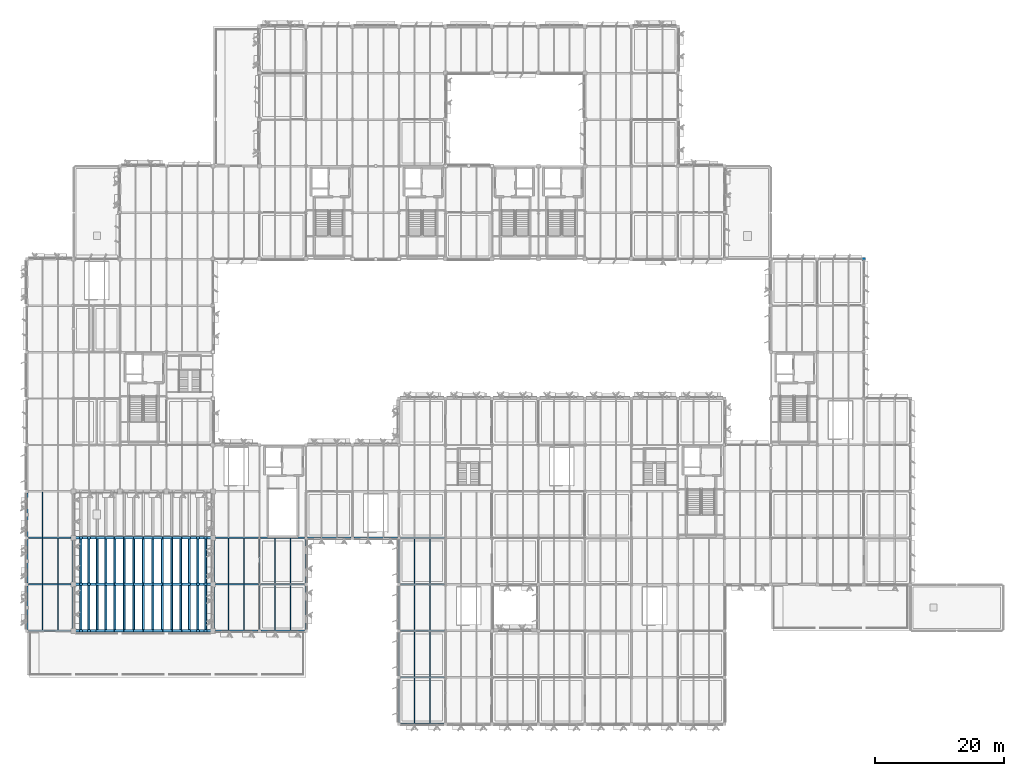
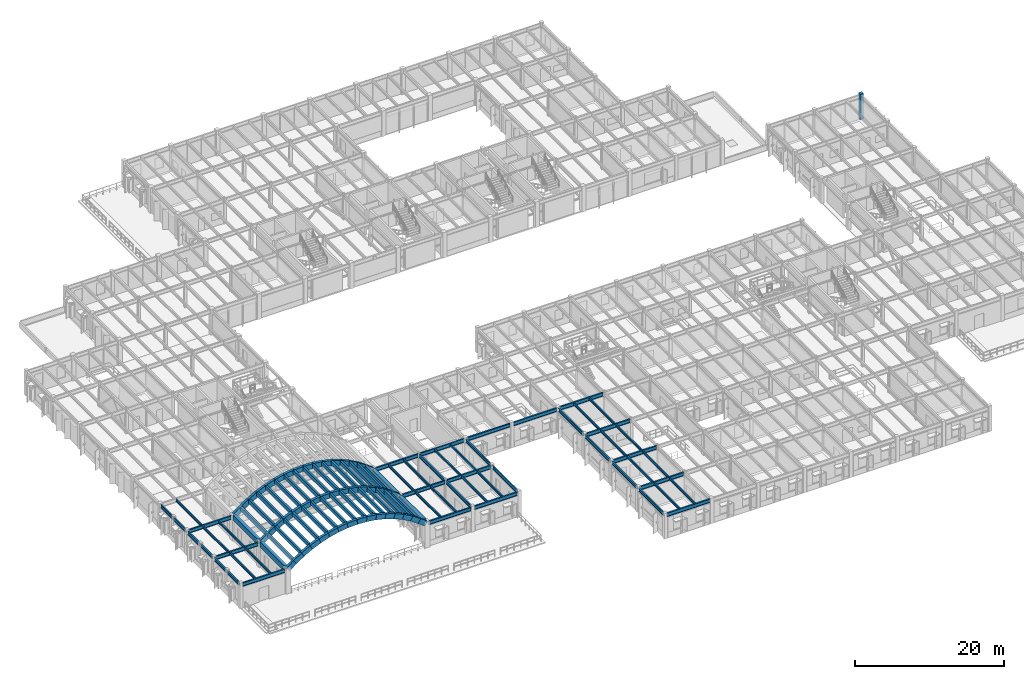
# One storey, part 15 of 85: 130 beams, 1 column.
"""IFC4 building model written with IfcOpenShell, lengths in metres."""

from ifc_helpers import new_model, si_unit, direction, frame, origin, origin_2d, place, context, subcontext, project, spatial, rectangle, i_section, extrude, material, material_profile, profile_set, type_object, element, save


model = new_model("IFC4")

# Units and contexts
model_context = context("Model", 3, precision=1e-05, world=origin(), true_north=direction((0.0, 1.0)))
body_context = subcontext(model_context, "Body", "Model", "MODEL_VIEW")
ifc_project = project(units=[si_unit("LENGTHUNIT", "METRE"), si_unit("AREAUNIT", "SQUARE_METRE"), si_unit("VOLUMEUNIT", "CUBIC_METRE"), si_unit("PLANEANGLEUNIT", "RADIAN"), si_unit("MASSUNIT", "GRAM", prefix="KILO")], contexts=[model_context])

# Site, building, storey
site_placement = place(None, origin())
site = spatial("IfcSite", under=ifc_project, at=site_placement, CompositionType="ELEMENT")
building_placement = place(site_placement, origin())
building = spatial("IfcBuilding", under=site, at=building_placement, Name="Sillqori Civic Hall", CompositionType="ELEMENT")
storey_placement = place(building_placement, frame((0.0, 0.0, 9.89990234375)))
storey = spatial("IfcBuildingStorey", under=building, at=storey_placement, Name="L03", CompositionType="ELEMENT", Elevation=9.89990234375)

# Column
ifc_material_1 = material(Name="Concrete C35/45 (H35)", Category="concrete")
ifc_material_profile_1 = material_profile(ifc_material_1, rectangle(XDim=0.5, YDim=0.5, at=origin_2d()), Name="RC 500x500")
ifc_profile_set_1 = profile_set([ifc_material_profile_1], Name="Concrete C35/45 (H35)")
column_type = type_object("IfcColumnType", Name="COL-RC500", PredefinedType="COLUMN", material=ifc_profile_set_1)
column_placement = place(storey_placement, frame((136.800048828125, 79.199951171875, 0.0), z_axis=(0.0, 0.0, 1.0), x_axis=(1.0, 0.0, 0.0)))
element("IfcColumn", 1, at=column_placement, inside=storey, type_object=column_type, Name="L03 column 19-11", PredefinedType="COLUMN", context=body_context, shape_type="SweptSolid", body=[
    extrude(rectangle(XDim=0.5, YDim=0.5, at=origin_2d()), origin(), (0.0, 0.0, 1.0), 4.2001953125),
])

# Beams
ifc_material_2 = material(Name="Steel ASTM A992", Category="steel")
ifc_material_profile_2 = material_profile(ifc_material_2, i_section(OverallWidth=0.2099609375, OverallDepth=0.532958984375, WebThickness=0.01025390625, FlangeThickness=0.015625, FilletRadius=0.013916015625, at=origin_2d()), Name="W21X62")
ifc_profile_set_2 = profile_set([ifc_material_profile_2], Name="Steel ASTM A992")
beam_type_1 = type_object("IfcBeamType", Name="BM-W21X62", PredefinedType="BEAM", material=ifc_profile_set_2)
beam_1_placement = place(storey_placement, frame((7.199951171875, 21.843994140625, 3.733642578125), z_axis=(0.0, 1.0, 0.0), x_axis=(-1.0, 0.0, 0.0)))
element("IfcBeam", 2, at=beam_1_placement, inside=storey, type_object=beam_type_1, Name="L03 girder Y 1-3", PredefinedType="BEAM", context=body_context, shape_type="SweptSolid", body=[
    extrude(i_section(OverallWidth=0.2099609375, OverallDepth=0.532958984375, WebThickness=0.01025390625, FlangeThickness=0.015625, FilletRadius=0.013916015625, at=origin_2d()), origin(), (0.0, 0.0, 1.0), 6.7119140625),
])
for number, where, z_axis, x_axis, name in (
    (3, (7.199951171875, 29.0439453125, 3.733642578125), (0.0, 1.0, 0.0), (-1.0, 0.0, 0.0), "L03 girder Y 1-4"),
    (4, (7.199951171875, 36.243896484375, 3.733642578125), (0.0, 1.0, 0.0), (-1.0, 0.0, 0.0), "L03 girder Y 1-5"),
):
    element("IfcBeam", number, at=place(storey_placement, frame(where, z_axis=z_axis, x_axis=x_axis)), inside=storey, type_object=beam_type_1, Name=name, PredefinedType="BEAM", context=body_context, shape_type="SweptSolid", body=[
        extrude(i_section(OverallWidth=0.2099609375, OverallDepth=0.532958984375, WebThickness=0.01025390625, FlangeThickness=0.015625, FilletRadius=0.013916015625, at=origin_2d()), origin(), (0.0, 0.0, 1.0), 6.712158203125),
    ])
beam_2_placement = place(storey_placement, frame((43.199951171875, 21.843994140625, 3.733642578125), z_axis=(0.0, 1.0, 0.0), x_axis=(-1.0, 0.0, 0.0)))
element("IfcBeam", 5, at=beam_2_placement, inside=storey, type_object=beam_type_1, Name="L03 girder Y 6-3", PredefinedType="BEAM", context=body_context, shape_type="SweptSolid", body=[
    extrude(i_section(OverallWidth=0.2099609375, OverallDepth=0.532958984375, WebThickness=0.01025390625, FlangeThickness=0.015625, FilletRadius=0.013916015625, at=origin_2d()), origin(), (0.0, 0.0, 1.0), 6.780517578125),
])
beam_3_placement = place(storey_placement, frame((43.199951171875, 28.9755859375, 3.733642578125), z_axis=(0.0, 1.0, 0.0), x_axis=(-1.0, 0.0, 0.0)))
element("IfcBeam", 6, at=beam_3_placement, inside=storey, type_object=beam_type_1, Name="L03 girder Y 6-4", PredefinedType="BEAM", context=body_context, shape_type="SweptSolid", body=[
    extrude(i_section(OverallWidth=0.2099609375, OverallDepth=0.532958984375, WebThickness=0.01025390625, FlangeThickness=0.015625, FilletRadius=0.013916015625, at=origin_2d()), origin(), (0.0, 0.0, 1.0), 6.848876953125),
])
beam_4_placement = place(storey_placement, frame((50.39990234375, 21.843994140625, 3.733642578125), z_axis=(0.0, 1.0, 0.0), x_axis=(-1.0, 0.0, 0.0)))
element("IfcBeam", 7, at=beam_4_placement, inside=storey, type_object=beam_type_1, Name="L03 girder Y 7-3", PredefinedType="BEAM", context=body_context, shape_type="SweptSolid", body=[
    extrude(i_section(OverallWidth=0.2099609375, OverallDepth=0.532958984375, WebThickness=0.01025390625, FlangeThickness=0.015625, FilletRadius=0.013916015625, at=origin_2d()), origin(), (0.0, 0.0, 1.0), 6.7119140625),
])
beam_5_placement = place(storey_placement, frame((50.39990234375, 29.0439453125, 3.733642578125), z_axis=(0.0, 1.0, 0.0), x_axis=(-1.0, 0.0, 0.0)))
element("IfcBeam", 8, at=beam_5_placement, inside=storey, type_object=beam_type_1, Name="L03 girder Y 7-4", PredefinedType="BEAM", context=body_context, shape_type="SweptSolid", body=[
    extrude(i_section(OverallWidth=0.2099609375, OverallDepth=0.532958984375, WebThickness=0.01025390625, FlangeThickness=0.015625, FilletRadius=0.013916015625, at=origin_2d()), origin(), (0.0, 0.0, 1.0), 6.712158203125),
])
for number, where, z_axis, x_axis, name in (
    (9, (64.800048828125, 7.444091796875, 3.753662109375), (0.0, 1.0, 0.0), (-1.0, 0.0, 0.0), "L03 girder Y 9-1"),
    (10, (64.800048828125, 14.64404296875, 3.753662109375), (0.0, 1.0, 0.0), (-1.0, 0.0, 0.0), "L03 girder Y 9-2"),
    (11, (64.800048828125, 21.843994140625, 3.753662109375), (0.0, 1.0, 0.0), (-1.0, 0.0, 0.0), "L03 girder Y 9-3"),
):
    element("IfcBeam", number, at=place(storey_placement, frame(where, z_axis=z_axis, x_axis=x_axis)), inside=storey, type_object=beam_type_1, Name=name, PredefinedType="BEAM", context=body_context, shape_type="SweptSolid", body=[
        extrude(i_section(OverallWidth=0.2099609375, OverallDepth=0.532958984375, WebThickness=0.01025390625, FlangeThickness=0.015625, FilletRadius=0.013916015625, at=origin_2d()), origin(), (0.0, 0.0, 1.0), 6.7119140625),
    ])
beam_6_placement = place(storey_placement, frame((64.800048828125, 29.0439453125, 3.753662109375), z_axis=(0.0, 1.0, 0.0), x_axis=(-1.0, 0.0, 0.0)))
element("IfcBeam", 12, at=beam_6_placement, inside=storey, type_object=beam_type_1, Name="L03 girder Y 9-4", PredefinedType="BEAM", context=body_context, shape_type="SweptSolid", body=[
    extrude(i_section(OverallWidth=0.2099609375, OverallDepth=0.532958984375, WebThickness=0.01025390625, FlangeThickness=0.015625, FilletRadius=0.013916015625, at=origin_2d()), origin(), (0.0, 0.0, 1.0), 6.712158203125),
])
ifc_material_profile_3 = material_profile(ifc_material_2, i_section(OverallWidth=0.22802734375, OverallDepth=0.60205078125, WebThickness=0.010498046875, FlangeThickness=0.014892578125, FilletRadius=0.014892578125, at=origin_2d()), Name="W24X68")
ifc_profile_set_3 = profile_set([ifc_material_profile_3], Name="Steel ASTM A992")
beam_type_2 = type_object("IfcBeamType", Name="BM-W24X68", PredefinedType="BEAM", material=ifc_profile_set_3)
for number, where, z_axis, x_axis, name in (
    (13, (7.444091796875, 21.60009765625, 3.69921875), (1.0, 0.0, 0.0), (0.0, 1.0, 0.0), "L03 girder X 1-3"),
    (14, (7.444091796875, 28.800048828125, 3.69921875), (1.0, 0.0, 0.0), (0.0, 1.0, 0.0), "L03 girder X 1-4"),
    (15, (7.444091796875, 36.0, 3.69921875), (1.0, 0.0, 0.0), (0.0, 1.0, 0.0), "L03 girder X 1-5"),
):
    element("IfcBeam", number, at=place(storey_placement, frame(where, z_axis=z_axis, x_axis=x_axis)), inside=storey, type_object=beam_type_2, Name=name, PredefinedType="BEAM", context=body_context, shape_type="SweptSolid", body=[
        extrude(i_section(OverallWidth=0.22802734375, OverallDepth=0.60205078125, WebThickness=0.010498046875, FlangeThickness=0.014892578125, FilletRadius=0.014892578125, at=origin_2d()), origin(), (0.0, 0.0, 1.0), 6.5869140625),
    ])
beam_7_placement = place(storey_placement, frame((36.368896484375, 21.60009765625, 3.69921875), z_axis=(1.0, 0.0, 0.0), x_axis=(0.0, 1.0, 0.0)))
element("IfcBeam", 16, at=beam_7_placement, inside=storey, type_object=beam_type_2, Name="L03 girder X 5-3", PredefinedType="BEAM", context=body_context, shape_type="SweptSolid", body=[
    extrude(i_section(OverallWidth=0.22802734375, OverallDepth=0.60205078125, WebThickness=0.010498046875, FlangeThickness=0.014892578125, FilletRadius=0.014892578125, at=origin_2d()), origin(), (0.0, 0.0, 1.0), 6.587158203125),
])
for number, where, z_axis, x_axis, name in (
    (17, (36.368896484375, 28.800048828125, 3.69921875), (1.0, 0.0, 0.0), (0.0, 1.0, 0.0), "L03 girder X 5-4"),
    (18, (36.368896484375, 36.0, 3.69921875), (1.0, 0.0, 0.0), (0.0, 1.0, 0.0), "L03 girder X 5-5"),
):
    element("IfcBeam", number, at=place(storey_placement, frame(where, z_axis=z_axis, x_axis=x_axis)), inside=storey, type_object=beam_type_2, Name=name, PredefinedType="BEAM", context=body_context, shape_type="SweptSolid", body=[
        extrude(i_section(OverallWidth=0.22802734375, OverallDepth=0.60205078125, WebThickness=0.010498046875, FlangeThickness=0.014892578125, FilletRadius=0.014892578125, at=origin_2d()), origin(), (0.0, 0.0, 1.0), 6.70849609375),
    ])
beam_8_placement = place(storey_placement, frame((43.444091796875, 21.60009765625, 3.69921875), z_axis=(1.0, 0.0, 0.0), x_axis=(0.0, 1.0, 0.0)))
element("IfcBeam", 19, at=beam_8_placement, inside=storey, type_object=beam_type_2, Name="L03 girder X 6-3", PredefinedType="BEAM", context=body_context, shape_type="SweptSolid", body=[
    extrude(i_section(OverallWidth=0.22802734375, OverallDepth=0.60205078125, WebThickness=0.010498046875, FlangeThickness=0.014892578125, FilletRadius=0.014892578125, at=origin_2d()), origin(), (0.0, 0.0, 1.0), 6.7119140625),
])
for number, where, z_axis, x_axis, name in (
    (20, (43.322509765625, 28.800048828125, 3.69921875), (1.0, 0.0, 0.0), (0.0, 1.0, 0.0), "L03 girder X 6-4"),
    (21, (43.322509765625, 36.0, 3.69921875), (1.0, 0.0, 0.0), (0.0, 1.0, 0.0), "L03 girder X 6-5"),
):
    element("IfcBeam", number, at=place(storey_placement, frame(where, z_axis=z_axis, x_axis=x_axis)), inside=storey, type_object=beam_type_2, Name=name, PredefinedType="BEAM", context=body_context, shape_type="SweptSolid", body=[
        extrude(i_section(OverallWidth=0.22802734375, OverallDepth=0.60205078125, WebThickness=0.010498046875, FlangeThickness=0.014892578125, FilletRadius=0.014892578125, at=origin_2d()), origin(), (0.0, 0.0, 1.0), 6.83349609375),
    ])
for number, where, z_axis, x_axis, name in (
    (22, (50.64404296875, 36.0, 3.69921875), (1.0, 0.0, 0.0), (0.0, 1.0, 0.0), "L03 girder X 7-5"),
    (23, (57.843994140625, 36.0, 3.69921875), (1.0, 0.0, 0.0), (0.0, 1.0, 0.0), "L03 girder X 8-5"),
):
    element("IfcBeam", number, at=place(storey_placement, frame(where, z_axis=z_axis, x_axis=x_axis)), inside=storey, type_object=beam_type_2, Name=name, PredefinedType="BEAM", context=body_context, shape_type="SweptSolid", body=[
        extrude(i_section(OverallWidth=0.22802734375, OverallDepth=0.60205078125, WebThickness=0.010498046875, FlangeThickness=0.014892578125, FilletRadius=0.014892578125, at=origin_2d()), origin(), (0.0, 0.0, 1.0), 6.7119140625),
    ])
beam_9_placement = place(storey_placement, frame((65.0439453125, 7.199951171875, 3.718994140625), z_axis=(1.0, 0.0, 0.0), x_axis=(0.0, 1.0, 0.0)))
element("IfcBeam", 24, at=beam_9_placement, inside=storey, type_object=beam_type_2, Name="L03 girder X 9-1", PredefinedType="BEAM", context=body_context, shape_type="SweptSolid", body=[
    extrude(i_section(OverallWidth=0.22802734375, OverallDepth=0.60205078125, WebThickness=0.010498046875, FlangeThickness=0.014892578125, FilletRadius=0.014892578125, at=origin_2d()), origin(), (0.0, 0.0, 1.0), 6.712158203125),
])
for number, where, z_axis, x_axis, name in (
    (25, (65.0439453125, 14.39990234375, 3.718994140625), (1.0, 0.0, 0.0), (0.0, 1.0, 0.0), "L03 girder X 9-2"),
    (26, (65.0439453125, 21.60009765625, 3.718994140625), (1.0, 0.0, 0.0), (0.0, 1.0, 0.0), "L03 girder X 9-3"),
    (27, (65.0439453125, 28.800048828125, 3.718994140625), (1.0, 0.0, 0.0), (0.0, 1.0, 0.0), "L03 girder X 9-4"),
    (28, (65.0439453125, 36.0, 3.718994140625), (1.0, 0.0, 0.0), (0.0, 1.0, 0.0), "L03 girder X 9-5"),
):
    element("IfcBeam", number, at=place(storey_placement, frame(where, z_axis=z_axis, x_axis=x_axis)), inside=storey, type_object=beam_type_2, Name=name, PredefinedType="BEAM", context=body_context, shape_type="SweptSolid", body=[
        extrude(i_section(OverallWidth=0.22802734375, OverallDepth=0.60205078125, WebThickness=0.010498046875, FlangeThickness=0.014892578125, FilletRadius=0.014892578125, at=origin_2d()), origin(), (0.0, 0.0, 1.0), 6.776611328125),
    ])
ifc_material_profile_4 = material_profile(ifc_material_2, i_section(OverallWidth=0.177978515625, OverallDepth=0.404052734375, WebThickness=0.007568359375, FlangeThickness=0.010986328125, FilletRadius=0.011962890625, at=origin_2d()), Name="W16X36")
ifc_profile_set_4 = profile_set([ifc_material_profile_4], Name="Steel ASTM A992")
beam_type_3 = type_object("IfcBeamType", Name="JS-W16X36", PredefinedType="JOIST", material=ifc_profile_set_4)
for number, where, z_axis, x_axis, name in (
    (29, (9.60009765625, 21.695068359375, 3.798095703125), (0.0, 1.0, 0.0), (-1.0, 0.0, 0.0), "L03 composite joist 1-3.1"),
    (30, (12.0, 21.695068359375, 3.798095703125), (0.0, 1.0, 0.0), (-1.0, 0.0, 0.0), "L03 composite joist 1-3.2"),
    (31, (9.60009765625, 28.89501953125, 3.798095703125), (0.0, 1.0, 0.0), (-1.0, 0.0, 0.0), "L03 composite joist 1-4.1"),
    (32, (12.0, 28.89501953125, 3.798095703125), (0.0, 1.0, 0.0), (-1.0, 0.0, 0.0), "L03 composite joist 1-4.2"),
    (33, (9.60009765625, 36.094970703125, 3.798095703125), (0.0, 1.0, 0.0), (-1.0, 0.0, 0.0), "L03 composite joist 1-5.1"),
    (34, (38.39990234375, 21.695068359375, 3.798095703125), (0.0, 1.0, 0.0), (-1.0, 0.0, 0.0), "L03 composite joist 5-3.1"),
    (35, (40.800048828125, 21.695068359375, 3.798095703125), (0.0, 1.0, 0.0), (-1.0, 0.0, 0.0), "L03 composite joist 5-3.2"),
    (36, (38.39990234375, 28.89501953125, 3.798095703125), (0.0, 1.0, 0.0), (-1.0, 0.0, 0.0), "L03 composite joist 5-4.1"),
    (37, (40.800048828125, 28.89501953125, 3.798095703125), (0.0, 1.0, 0.0), (-1.0, 0.0, 0.0), "L03 composite joist 5-4.2"),
    (38, (45.60009765625, 21.695068359375, 3.798095703125), (0.0, 1.0, 0.0), (-1.0, 0.0, 0.0), "L03 composite joist 6-3.1"),
    (39, (48.0, 21.695068359375, 3.798095703125), (0.0, 1.0, 0.0), (-1.0, 0.0, 0.0), "L03 composite joist 6-3.2"),
    (40, (45.60009765625, 28.89501953125, 3.798095703125), (0.0, 1.0, 0.0), (-1.0, 0.0, 0.0), "L03 composite joist 6-4.1"),
    (41, (48.0, 28.89501953125, 3.798095703125), (0.0, 1.0, 0.0), (-1.0, 0.0, 0.0), "L03 composite joist 6-4.2"),
    (42, (67.199951171875, 7.294921875, 3.818115234375), (0.0, 1.0, 0.0), (-1.0, 0.0, 0.0), "L03 composite joist 9-1.1"),
    (43, (69.60009765625, 7.294921875, 3.818115234375), (0.0, 1.0, 0.0), (-1.0, 0.0, 0.0), "L03 composite joist 9-1.2"),
):
    element("IfcBeam", number, at=place(storey_placement, frame(where, z_axis=z_axis, x_axis=x_axis)), inside=storey, type_object=beam_type_3, Name=name, PredefinedType="JOIST", context=body_context, shape_type="SweptSolid", body=[
        extrude(i_section(OverallWidth=0.177978515625, OverallDepth=0.404052734375, WebThickness=0.007568359375, FlangeThickness=0.010986328125, FilletRadius=0.011962890625, at=origin_2d()), origin(), (0.0, 0.0, 1.0), 7.010009765625),
    ])
for number, where, z_axis, x_axis, name in (
    (44, (67.199951171875, 14.4951171875, 3.818115234375), (0.0, 1.0, 0.0), (-1.0, 0.0, 0.0), "L03 composite joist 9-2.1"),
    (45, (69.60009765625, 14.4951171875, 3.818115234375), (0.0, 1.0, 0.0), (-1.0, 0.0, 0.0), "L03 composite joist 9-2.2"),
):
    element("IfcBeam", number, at=place(storey_placement, frame(where, z_axis=z_axis, x_axis=x_axis)), inside=storey, type_object=beam_type_3, Name=name, PredefinedType="JOIST", context=body_context, shape_type="SweptSolid", body=[
        extrude(i_section(OverallWidth=0.177978515625, OverallDepth=0.404052734375, WebThickness=0.007568359375, FlangeThickness=0.010986328125, FilletRadius=0.011962890625, at=origin_2d()), origin(), (0.0, 0.0, 1.0), 7.009765625),
    ])
for number, where, z_axis, x_axis, name in (
    (46, (67.199951171875, 21.695068359375, 3.818115234375), (0.0, 1.0, 0.0), (-1.0, 0.0, 0.0), "L03 composite joist 9-3.1"),
    (47, (69.60009765625, 21.695068359375, 3.818115234375), (0.0, 1.0, 0.0), (-1.0, 0.0, 0.0), "L03 composite joist 9-3.2"),
    (48, (67.199951171875, 28.89501953125, 3.818115234375), (0.0, 1.0, 0.0), (-1.0, 0.0, 0.0), "L03 composite joist 9-4.1"),
    (49, (69.60009765625, 28.89501953125, 3.818115234375), (0.0, 1.0, 0.0), (-1.0, 0.0, 0.0), "L03 composite joist 9-4.2"),
):
    element("IfcBeam", number, at=place(storey_placement, frame(where, z_axis=z_axis, x_axis=x_axis)), inside=storey, type_object=beam_type_3, Name=name, PredefinedType="JOIST", context=body_context, shape_type="SweptSolid", body=[
        extrude(i_section(OverallWidth=0.177978515625, OverallDepth=0.404052734375, WebThickness=0.007568359375, FlangeThickness=0.010986328125, FilletRadius=0.011962890625, at=origin_2d()), origin(), (0.0, 0.0, 1.0), 7.010009765625),
    ])
ifc_material_profile_5 = material_profile(ifc_material_1, rectangle(XDim=0.300048828125, YDim=0.60009765625, at=origin_2d()), Name="RC 300x600")
ifc_profile_set_5 = profile_set([ifc_material_profile_5], Name="Concrete C35/45 (H35)")
beam_type_4 = type_object("IfcBeamType", Name="VB-CB-V1", PredefinedType="BEAM", material=ifc_profile_set_5)
for number, where, z_axis, x_axis, name in (
    (50, (15.53759765625, 21.780029296875, 4.724365234375), (0.0, 1.0, 0.0), (-1.0, 0.0, 0.0), "Barrel-vault coffer beam 01.1"),
    (51, (15.53759765625, 28.97998046875, 4.724365234375), (0.0, 1.0, 0.0), (-1.0, 0.0, 0.0), "Barrel-vault coffer beam 01.2"),
    (52, (16.75830078125, 21.780029296875, 5.564453125), (0.0, 1.0, 0.0), (-1.0, 0.0, 0.0), "Barrel-vault coffer beam 02.1"),
    (53, (16.75830078125, 28.97998046875, 5.564453125), (0.0, 1.0, 0.0), (-1.0, 0.0, 0.0), "Barrel-vault coffer beam 02.2"),
    (54, (18.051513671875, 21.780029296875, 6.28759765625), (0.0, 1.0, 0.0), (-1.0, 0.0, 0.0), "Barrel-vault coffer beam 03.1"),
    (55, (18.051513671875, 28.97998046875, 6.28759765625), (0.0, 1.0, 0.0), (-1.0, 0.0, 0.0), "Barrel-vault coffer beam 03.2"),
    (56, (19.406005859375, 21.780029296875, 6.88818359375), (0.0, 1.0, 0.0), (-1.0, 0.0, 0.0), "Barrel-vault coffer beam 04.1"),
    (57, (19.406005859375, 28.97998046875, 6.88818359375), (0.0, 1.0, 0.0), (-1.0, 0.0, 0.0), "Barrel-vault coffer beam 04.2"),
    (58, (20.810302734375, 21.780029296875, 7.360595703125), (0.0, 1.0, 0.0), (-1.0, 0.0, 0.0), "Barrel-vault coffer beam 05.1"),
    (59, (20.810302734375, 28.97998046875, 7.360595703125), (0.0, 1.0, 0.0), (-1.0, 0.0, 0.0), "Barrel-vault coffer beam 05.2"),
    (60, (22.25244140625, 21.780029296875, 7.700927734375), (0.0, 1.0, 0.0), (-1.0, 0.0, 0.0), "Barrel-vault coffer beam 06.1"),
    (61, (22.25244140625, 28.97998046875, 7.700927734375), (0.0, 1.0, 0.0), (-1.0, 0.0, 0.0), "Barrel-vault coffer beam 06.2"),
    (62, (23.719970703125, 21.780029296875, 7.906494140625), (0.0, 1.0, 0.0), (-1.0, 0.0, 0.0), "Barrel-vault coffer beam 07.1"),
    (63, (23.719970703125, 28.97998046875, 7.906494140625), (0.0, 1.0, 0.0), (-1.0, 0.0, 0.0), "Barrel-vault coffer beam 07.2"),
    (64, (25.199951171875, 21.780029296875, 7.97509765625), (0.0, 1.0, 0.0), (-1.0, 0.0, 0.0), "Barrel-vault coffer beam 08.1"),
    (65, (25.199951171875, 28.97998046875, 7.97509765625), (0.0, 1.0, 0.0), (-1.0, 0.0, 0.0), "Barrel-vault coffer beam 08.2"),
    (66, (26.68017578125, 21.780029296875, 7.906494140625), (0.0, 1.0, 0.0), (-1.0, 0.0, 0.0), "Barrel-vault coffer beam 09.1"),
    (67, (26.68017578125, 28.97998046875, 7.906494140625), (0.0, 1.0, 0.0), (-1.0, 0.0, 0.0), "Barrel-vault coffer beam 09.2"),
    (68, (28.1474609375, 21.780029296875, 7.700927734375), (0.0, 1.0, 0.0), (-1.0, 0.0, 0.0), "Barrel-vault coffer beam 10.1"),
    (69, (28.1474609375, 28.97998046875, 7.700927734375), (0.0, 1.0, 0.0), (-1.0, 0.0, 0.0), "Barrel-vault coffer beam 10.2"),
    (70, (29.589599609375, 21.780029296875, 7.360595703125), (0.0, 1.0, 0.0), (-1.0, 0.0, 0.0), "Barrel-vault coffer beam 11.1"),
    (71, (29.589599609375, 28.97998046875, 7.360595703125), (0.0, 1.0, 0.0), (-1.0, 0.0, 0.0), "Barrel-vault coffer beam 11.2"),
    (72, (30.993896484375, 21.780029296875, 6.88818359375), (0.0, 1.0, 0.0), (-1.0, 0.0, 0.0), "Barrel-vault coffer beam 12.1"),
    (73, (30.993896484375, 28.97998046875, 6.88818359375), (0.0, 1.0, 0.0), (-1.0, 0.0, 0.0), "Barrel-vault coffer beam 12.2"),
    (74, (32.348388671875, 21.780029296875, 6.28759765625), (0.0, 1.0, 0.0), (-1.0, 0.0, 0.0), "Barrel-vault coffer beam 13.1"),
    (75, (32.348388671875, 28.97998046875, 6.28759765625), (0.0, 1.0, 0.0), (-1.0, 0.0, 0.0), "Barrel-vault coffer beam 13.2"),
    (76, (33.6416015625, 21.780029296875, 5.564453125), (0.0, 1.0, 0.0), (-1.0, 0.0, 0.0), "Barrel-vault coffer beam 14.1"),
    (77, (33.6416015625, 28.97998046875, 5.564453125), (0.0, 1.0, 0.0), (-1.0, 0.0, 0.0), "Barrel-vault coffer beam 14.2"),
    (78, (34.8623046875, 21.780029296875, 4.724365234375), (0.0, 1.0, 0.0), (-1.0, 0.0, 0.0), "Barrel-vault coffer beam 15.1"),
    (79, (34.8623046875, 28.97998046875, 4.724365234375), (0.0, 1.0, 0.0), (-1.0, 0.0, 0.0), "Barrel-vault coffer beam 15.2"),
):
    element("IfcBeam", number, at=place(storey_placement, frame(where, z_axis=z_axis, x_axis=x_axis)), inside=storey, type_object=beam_type_4, Name=name, PredefinedType="BEAM", context=body_context, shape_type="SweptSolid", body=[
        extrude(rectangle(XDim=0.300048828125, YDim=0.60009765625, at=origin_2d()), origin(), (0.0, 0.0, 1.0), 6.840087890625),
    ])
ifc_material_profile_6 = material_profile(ifc_material_1, rectangle(XDim=0.39990234375, YDim=0.800048828125, at=origin_2d()), Name="RC 400x800")
ifc_profile_set_6 = profile_set([ifc_material_profile_6], Name="Concrete C35/45 (H35)")
beam_type_5 = type_object("IfcBeamType", Name="VB-RB-V1", PredefinedType="BEAM", material=ifc_profile_set_6)
for number, where, z_axis, x_axis, name in (
    (80, (14.449951171875, 21.60009765625, 3.820068359375), (0.803988572723, 0.0, 0.594644746829), (0.0, 1.0, 0.0), "Barrel-vault transverse arch rib 1.01"),
    (81, (14.449951171875, 28.800048828125, 3.820068359375), (0.803988572723, 0.0, 0.594644746829), (0.0, 1.0, 0.0), "Barrel-vault transverse arch rib 2.01"),
    (82, (14.449951171875, 36.0, 3.820068359375), (0.803988572723, 0.0, 0.594644746829), (0.0, 1.0, 0.0), "Barrel-vault transverse arch rib 3.01"),
):
    element("IfcBeam", number, at=place(storey_placement, frame(where, z_axis=z_axis, x_axis=x_axis)), inside=storey, type_object=beam_type_5, Name=name, PredefinedType="BEAM", context=body_context, shape_type="SweptSolid", body=[
        extrude(rectangle(XDim=0.39990234375, YDim=0.800048828125, at=origin_2d()), origin(), (0.0, 0.0, 1.0), 1.352783203125),
    ])
for number, where, z_axis, x_axis, name in (
    (83, (15.53759765625, 21.60009765625, 4.62451171875), (0.823849572316, 0.0, 0.566808505754), (0.0, 1.0, 0.0), "Barrel-vault transverse arch rib 1.02"),
    (84, (15.53759765625, 28.800048828125, 4.62451171875), (0.823849572316, 0.0, 0.566808505754), (0.0, 1.0, 0.0), "Barrel-vault transverse arch rib 2.02"),
    (85, (15.53759765625, 36.0, 4.62451171875), (0.823849572316, 0.0, 0.566808505754), (0.0, 1.0, 0.0), "Barrel-vault transverse arch rib 3.02"),
    (86, (16.75830078125, 21.60009765625, 5.46435546875), (0.872739110613, 0.0, 0.488186895365), (0.0, 1.0, 0.0), "Barrel-vault transverse arch rib 1.03"),
    (87, (16.75830078125, 28.800048828125, 5.46435546875), (0.872739110613, 0.0, 0.488186895365), (0.0, 1.0, 0.0), "Barrel-vault transverse arch rib 2.03"),
    (88, (16.75830078125, 36.0, 5.46435546875), (0.872739110613, 0.0, 0.488186895365), (0.0, 1.0, 0.0), "Barrel-vault transverse arch rib 3.03"),
    (89, (18.051513671875, 21.60009765625, 6.187744140625), (0.914225582682, 0.0, 0.405205607032), (0.0, 1.0, 0.0), "Barrel-vault transverse arch rib 1.04"),
    (90, (18.051513671875, 28.800048828125, 6.187744140625), (0.914225582682, 0.0, 0.405205607032), (0.0, 1.0, 0.0), "Barrel-vault transverse arch rib 2.04"),
    (91, (18.051513671875, 36.0, 6.187744140625), (0.914225582682, 0.0, 0.405205607032), (0.0, 1.0, 0.0), "Barrel-vault transverse arch rib 3.04"),
    (92, (19.406005859375, 21.60009765625, 6.7880859375), (0.947806353806, 0.0, 0.318846539397), (0.0, 1.0, 0.0), "Barrel-vault transverse arch rib 1.05"),
    (93, (19.406005859375, 28.800048828125, 6.7880859375), (0.947806353806, 0.0, 0.318846539397), (0.0, 1.0, 0.0), "Barrel-vault transverse arch rib 2.05"),
    (94, (19.406005859375, 36.0, 6.7880859375), (0.947806353806, 0.0, 0.318846539397), (0.0, 1.0, 0.0), "Barrel-vault transverse arch rib 3.05"),
    (95, (20.810302734375, 21.60009765625, 7.260498046875), (0.973228853638, 0.0, 0.22983820058), (0.0, 1.0, 0.0), "Barrel-vault transverse arch rib 1.06"),
    (96, (20.810302734375, 28.800048828125, 7.260498046875), (0.973228853638, 0.0, 0.22983820058), (0.0, 1.0, 0.0), "Barrel-vault transverse arch rib 2.06"),
    (97, (20.810302734375, 36.0, 7.260498046875), (0.973228853638, 0.0, 0.22983820058), (0.0, 1.0, 0.0), "Barrel-vault transverse arch rib 3.06"),
):
    element("IfcBeam", number, at=place(storey_placement, frame(where, z_axis=z_axis, x_axis=x_axis)), inside=storey, type_object=beam_type_5, Name=name, PredefinedType="BEAM", context=body_context, shape_type="SweptSolid", body=[
        extrude(rectangle(XDim=0.39990234375, YDim=0.800048828125, at=origin_2d()), origin(), (0.0, 0.0, 1.0), 1.481689453125),
    ])
for number, where, z_axis, x_axis, name in (
    (98, (22.25244140625, 21.60009765625, 7.60107421875), (0.990353959017, 0.0, 0.138560585516), (0.0, 1.0, 0.0), "Barrel-vault transverse arch rib 1.07"),
    (99, (22.25244140625, 28.800048828125, 7.60107421875), (0.990353959017, 0.0, 0.138560585516), (0.0, 1.0, 0.0), "Barrel-vault transverse arch rib 2.07"),
    (100, (22.25244140625, 36.0, 7.60107421875), (0.990353959017, 0.0, 0.138560585516), (0.0, 1.0, 0.0), "Barrel-vault transverse arch rib 3.07"),
):
    element("IfcBeam", number, at=place(storey_placement, frame(where, z_axis=z_axis, x_axis=x_axis)), inside=storey, type_object=beam_type_5, Name=name, PredefinedType="BEAM", context=body_context, shape_type="SweptSolid", body=[
        extrude(rectangle(XDim=0.39990234375, YDim=0.800048828125, at=origin_2d()), origin(), (0.0, 0.0, 1.0), 1.48193359375),
    ])
for number, where, z_axis, x_axis, name in (
    (101, (23.719970703125, 21.60009765625, 7.806396484375), (0.998927365938, 0.0, 0.04630461726), (0.0, 1.0, 0.0), "Barrel-vault transverse arch rib 1.08"),
    (102, (23.719970703125, 28.800048828125, 7.806396484375), (0.998927365938, 0.0, 0.04630461726), (0.0, 1.0, 0.0), "Barrel-vault transverse arch rib 2.08"),
    (103, (23.719970703125, 36.0, 7.806396484375), (0.998927365938, 0.0, 0.04630461726), (0.0, 1.0, 0.0), "Barrel-vault transverse arch rib 3.08"),
):
    element("IfcBeam", number, at=place(storey_placement, frame(where, z_axis=z_axis, x_axis=x_axis)), inside=storey, type_object=beam_type_5, Name=name, PredefinedType="BEAM", context=body_context, shape_type="SweptSolid", body=[
        extrude(rectangle(XDim=0.39990234375, YDim=0.800048828125, at=origin_2d()), origin(), (0.0, 0.0, 1.0), 1.481689453125),
    ])
for number, where, z_axis, x_axis, name in (
    (104, (25.199951171875, 21.60009765625, 7.875), (0.99892771917, 0.0, -0.046296996386), (0.0, 1.0, 0.0), "Barrel-vault transverse arch rib 1.09"),
    (105, (25.199951171875, 28.800048828125, 7.875), (0.99892771917, 0.0, -0.046296996386), (0.0, 1.0, 0.0), "Barrel-vault transverse arch rib 2.09"),
    (106, (25.199951171875, 36.0, 7.875), (0.99892771917, 0.0, -0.046296996386), (0.0, 1.0, 0.0), "Barrel-vault transverse arch rib 3.09"),
):
    element("IfcBeam", number, at=place(storey_placement, frame(where, z_axis=z_axis, x_axis=x_axis)), inside=storey, type_object=beam_type_5, Name=name, PredefinedType="BEAM", context=body_context, shape_type="SweptSolid", body=[
        extrude(rectangle(XDim=0.39990234375, YDim=0.800048828125, at=origin_2d()), origin(), (0.0, 0.0, 1.0), 1.48193359375),
    ])
for number, where, z_axis, x_axis, name in (
    (107, (26.68017578125, 21.60009765625, 7.806396484375), (0.990350795069, 0.0, -0.138583197779), (0.0, 1.0, 0.0), "Barrel-vault transverse arch rib 1.10"),
    (108, (26.68017578125, 28.800048828125, 7.806396484375), (0.990350795069, 0.0, -0.138583197779), (0.0, 1.0, 0.0), "Barrel-vault transverse arch rib 2.10"),
    (109, (26.68017578125, 36.0, 7.806396484375), (0.990350795069, 0.0, -0.138583197779), (0.0, 1.0, 0.0), "Barrel-vault transverse arch rib 3.10"),
    (110, (28.1474609375, 21.60009765625, 7.60107421875), (0.973228853638, 0.0, -0.22983820058), (0.0, 1.0, 0.0), "Barrel-vault transverse arch rib 1.11"),
    (111, (28.1474609375, 28.800048828125, 7.60107421875), (0.973228853638, 0.0, -0.22983820058), (0.0, 1.0, 0.0), "Barrel-vault transverse arch rib 2.11"),
    (112, (28.1474609375, 36.0, 7.60107421875), (0.973228853638, 0.0, -0.22983820058), (0.0, 1.0, 0.0), "Barrel-vault transverse arch rib 3.11"),
    (113, (29.589599609375, 21.60009765625, 7.260498046875), (0.947806353806, 0.0, -0.318846539397), (0.0, 1.0, 0.0), "Barrel-vault transverse arch rib 1.12"),
    (114, (29.589599609375, 28.800048828125, 7.260498046875), (0.947806353806, 0.0, -0.318846539397), (0.0, 1.0, 0.0), "Barrel-vault transverse arch rib 2.12"),
    (115, (29.589599609375, 36.0, 7.260498046875), (0.947806353806, 0.0, -0.318846539397), (0.0, 1.0, 0.0), "Barrel-vault transverse arch rib 3.12"),
    (116, (30.993896484375, 21.60009765625, 6.7880859375), (0.914225582682, 0.0, -0.405205607032), (0.0, 1.0, 0.0), "Barrel-vault transverse arch rib 1.13"),
    (117, (30.993896484375, 28.800048828125, 6.7880859375), (0.914225582682, 0.0, -0.405205607032), (0.0, 1.0, 0.0), "Barrel-vault transverse arch rib 2.13"),
    (118, (30.993896484375, 36.0, 6.7880859375), (0.914225582682, 0.0, -0.405205607032), (0.0, 1.0, 0.0), "Barrel-vault transverse arch rib 3.13"),
    (119, (32.348388671875, 21.60009765625, 6.187744140625), (0.872739110613, 0.0, -0.488186895365), (0.0, 1.0, 0.0), "Barrel-vault transverse arch rib 1.14"),
    (120, (32.348388671875, 28.800048828125, 6.187744140625), (0.872739110613, 0.0, -0.488186895365), (0.0, 1.0, 0.0), "Barrel-vault transverse arch rib 2.14"),
    (121, (32.348388671875, 36.0, 6.187744140625), (0.872739110613, 0.0, -0.488186895365), (0.0, 1.0, 0.0), "Barrel-vault transverse arch rib 3.14"),
    (122, (33.6416015625, 21.60009765625, 5.46435546875), (0.823849572316, 0.0, -0.566808505754), (0.0, 1.0, 0.0), "Barrel-vault transverse arch rib 1.15"),
    (123, (33.6416015625, 28.800048828125, 5.46435546875), (0.823849572316, 0.0, -0.566808505754), (0.0, 1.0, 0.0), "Barrel-vault transverse arch rib 2.15"),
    (124, (33.6416015625, 36.0, 5.46435546875), (0.823849572316, 0.0, -0.566808505754), (0.0, 1.0, 0.0), "Barrel-vault transverse arch rib 3.15"),
):
    element("IfcBeam", number, at=place(storey_placement, frame(where, z_axis=z_axis, x_axis=x_axis)), inside=storey, type_object=beam_type_5, Name=name, PredefinedType="BEAM", context=body_context, shape_type="SweptSolid", body=[
        extrude(rectangle(XDim=0.39990234375, YDim=0.800048828125, at=origin_2d()), origin(), (0.0, 0.0, 1.0), 1.481689453125),
    ])
for number, where, z_axis, x_axis, name in (
    (125, (34.8623046875, 21.60009765625, 4.62451171875), (0.803988572723, 0.0, -0.594644746829), (0.0, 1.0, 0.0), "Barrel-vault transverse arch rib 1.16"),
    (126, (34.8623046875, 28.800048828125, 4.62451171875), (0.803988572723, 0.0, -0.594644746829), (0.0, 1.0, 0.0), "Barrel-vault transverse arch rib 2.16"),
    (127, (34.8623046875, 36.0, 4.62451171875), (0.803988572723, 0.0, -0.594644746829), (0.0, 1.0, 0.0), "Barrel-vault transverse arch rib 3.16"),
):
    element("IfcBeam", number, at=place(storey_placement, frame(where, z_axis=z_axis, x_axis=x_axis)), inside=storey, type_object=beam_type_5, Name=name, PredefinedType="BEAM", context=body_context, shape_type="SweptSolid", body=[
        extrude(rectangle(XDim=0.39990234375, YDim=0.800048828125, at=origin_2d()), origin(), (0.0, 0.0, 1.0), 1.352783203125),
    ])
ifc_material_profile_7 = material_profile(ifc_material_1, rectangle(XDim=0.5, YDim=0.85009765625, at=origin_2d()), Name="RC 500x850")
ifc_profile_set_7 = profile_set([ifc_material_profile_7], Name="Concrete C35/45 (H35)")
beam_type_6 = type_object("IfcBeamType", Name="VB-RG-V1", PredefinedType="BEAM", material=ifc_profile_set_7)
for number, where, z_axis, x_axis, name in (
    (128, (14.39990234375, 21.965087890625, 3.775146484375), (0.0, 1.0, 0.0), (-1.0, 0.0, 0.0), "Vault springing ring beam 2-3"),
    (129, (14.39990234375, 29.1650390625, 3.775146484375), (0.0, 1.0, 0.0), (-1.0, 0.0, 0.0), "Vault springing ring beam 2-4"),
    (130, (36.0, 21.965087890625, 3.775146484375), (0.0, 1.0, 0.0), (-1.0, 0.0, 0.0), "Vault springing ring beam 5-3"),
    (131, (36.0, 29.1650390625, 3.775146484375), (0.0, 1.0, 0.0), (-1.0, 0.0, 0.0), "Vault springing ring beam 5-4"),
):
    element("IfcBeam", number, at=place(storey_placement, frame(where, z_axis=z_axis, x_axis=x_axis)), inside=storey, type_object=beam_type_6, Name=name, PredefinedType="BEAM", context=body_context, shape_type="SweptSolid", body=[
        extrude(rectangle(XDim=0.5, YDim=0.85009765625, at=origin_2d()), origin(), (0.0, 0.0, 1.0), 6.469970703125),
    ])

save(model, "model.ifc")
